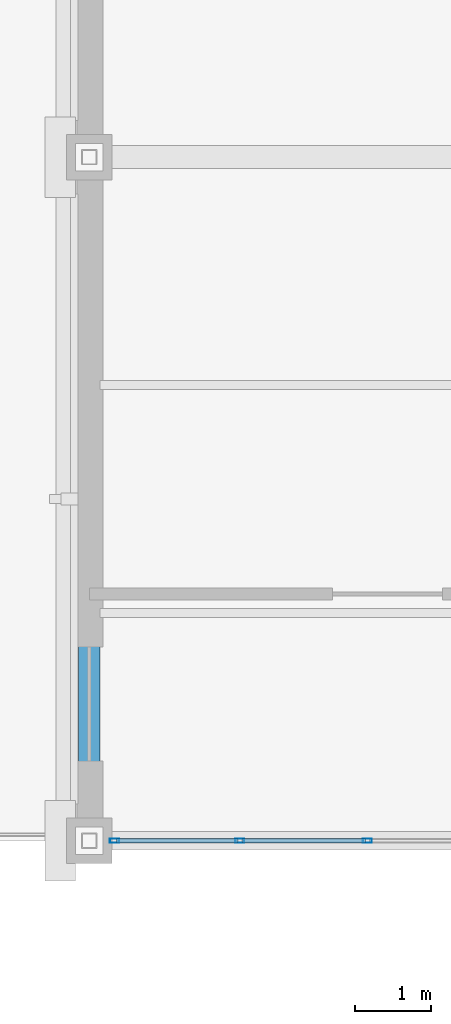
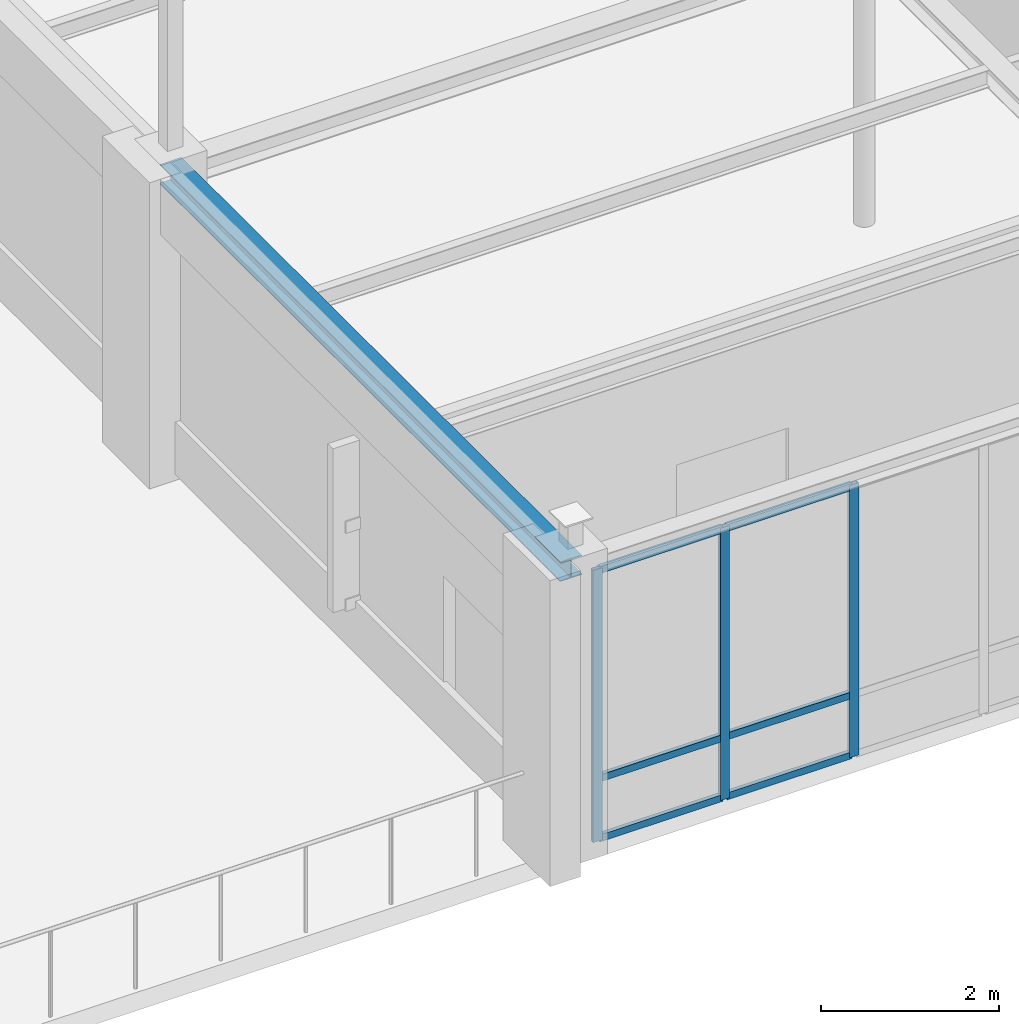
# One storey, part 59 of 97: 9 members, 1 beam, 1 element without a shape of its own.
"""IFC4 building model written with IfcOpenShell, lengths in metres."""

from ifc_helpers import new_model, si_unit, direction, frame, origin, origin_2d, place, context, subcontext, project, spatial, hollow_rectangle, i_section, extrude, material, material_profile, profile_set, type_object, element, aggregate, save


model = new_model("IFC4")

# Units and contexts
model_context = context("Model", 3, precision=1e-05, world=origin(), true_north=direction((0.0, 1.0)))
body_context = subcontext(model_context, "Body", "Model", "MODEL_VIEW")
ifc_project = project(units=[si_unit("LENGTHUNIT", "METRE"), si_unit("AREAUNIT", "SQUARE_METRE"), si_unit("VOLUMEUNIT", "CUBIC_METRE"), si_unit("PLANEANGLEUNIT", "RADIAN"), si_unit("MASSUNIT", "GRAM", prefix="KILO")], contexts=[model_context])

# Site, building, storey
site_placement = place(None, origin())
site = spatial("IfcSite", under=ifc_project, at=site_placement, CompositionType="ELEMENT")
building_placement = place(site_placement, origin())
building = spatial("IfcBuilding", under=site, at=building_placement, Name="Lykobir Media Centre", CompositionType="ELEMENT")
storey_placement = place(building_placement, frame((0.0, 0.0, 23.39990234375)))
storey = spatial("IfcBuildingStorey", under=building, at=storey_placement, Name="L05", CompositionType="ELEMENT", Elevation=23.39990234375)

# Beam
ifc_material_1 = material(Name="Steel S355", Category="steel")
ifc_material_profile_1 = material_profile(ifc_material_1, i_section(OverallWidth=0.280029296875, OverallDepth=0.27001953125, WebThickness=0.008056640625, FlangeThickness=0.012939453125, at=origin_2d()), Name="HEA 280")
ifc_profile_set_1 = profile_set([ifc_material_profile_1], Name="Steel S355")
beam_type = type_object("IfcBeamType", Name="BM-HEA280", PredefinedType="BEAM", material=ifc_profile_set_1)
beam_placement = place(storey_placement, frame((108.0, 72.0, 3.84521484375), z_axis=(0.0, 1.0, 0.0), x_axis=(-1.0, 0.0, 0.0)))
element("IfcBeam", 1, at=beam_placement, inside=storey, type_object=beam_type, Name="Beam BM-L05-1080-0720-1080-0810-2724", PredefinedType="BEAM", context=body_context, shape_type="SweptSolid", body=[
    extrude(i_section(OverallWidth=0.280029296875, OverallDepth=0.27001953125, WebThickness=0.008056640625, FlangeThickness=0.012939453125, at=origin_2d()), origin(), (0.0, 0.0, 1.0), 9.0),
])

# Curtain wall, members
ifc_material_2 = material(Name="Anodized Aluminium AW-6060", Category="aluminium")
curtain_wall_type = type_object("IfcCurtainWallType", Name="CW-COURT-B", PredefinedType="NOTDEFINED", material=ifc_material_2)
curtain_wall_placement = place(storey_placement, origin())
curtain_wall = element("IfcCurtainWall", 2, at=curtain_wall_placement, inside=storey, type_object=curtain_wall_type, Name="Curtain wall CW2-L05-0204", PredefinedType="NOTDEFINED")
ifc_material_profile_2 = material_profile(ifc_material_2, hollow_rectangle(XDim=0.054931640625, YDim=0.1201171875, WallThickness=0.003173828125, at=origin_2d()), Name="ALU MULLION 55x120")
ifc_profile_set_2 = profile_set([ifc_material_profile_2], Name="Anodized Aluminium AW-6060")
member_type_1 = type_object("IfcMemberType", Name="CWM-120", PredefinedType="MULLION", material=ifc_profile_set_2)
member_1_placement = place(storey_placement, frame((111.660888671875, 72.0, 0.0), z_axis=(0.0, 0.0, 1.0), x_axis=(0.0, -1.0, 0.0)))
member_1 = element("IfcMember", 3, at=member_1_placement, type_object=member_type_1, Name="CW2-L05-0204 mullion 4", PredefinedType="MULLION", context=body_context, shape_type="SweptSolid", body=[
    extrude(hollow_rectangle(XDim=0.054931640625, YDim=0.1201171875, WallThickness=0.003173828125, at=origin_2d()), origin(), (0.0, 0.0, 1.0), 3.735107421875),
])
member_2_placement = place(storey_placement, frame((109.98291015625, 72.0, 0.0), z_axis=(0.0, 0.0, 1.0), x_axis=(0.0, -1.0, 0.0)))
member_2 = element("IfcMember", 4, at=member_2_placement, type_object=member_type_1, Name="CW2-L05-0204 mullion 5", PredefinedType="MULLION", context=body_context, shape_type="SweptSolid", body=[
    extrude(hollow_rectangle(XDim=0.054931640625, YDim=0.1201171875, WallThickness=0.003173828125, at=origin_2d()), origin(), (0.0, 0.0, 1.0), 3.735107421875),
])
member_3_placement = place(storey_placement, frame((108.33251953125, 72.0, 0.0), z_axis=(0.0, 0.0, 1.0), x_axis=(0.0, -1.0, 0.0)))
member_3 = element("IfcMember", 5, at=member_3_placement, type_object=member_type_1, Name="CW2-L05-0204 mullion 6", PredefinedType="MULLION", context=body_context, shape_type="SweptSolid", body=[
    extrude(hollow_rectangle(XDim=0.054931640625, YDim=0.1201171875, WallThickness=0.003173828125, at=origin_2d()), origin(), (0.0, 0.0, 1.0), 3.735107421875),
])
ifc_material_profile_3 = material_profile(ifc_material_2, hollow_rectangle(XDim=0.054931640625, YDim=0.094970703125, WallThickness=0.0029296875, at=origin_2d()), Name="ALU TRANSOM 55x95")
ifc_profile_set_3 = profile_set([ifc_material_profile_3], Name="Anodized Aluminium AW-6060")
member_type_2 = type_object("IfcMemberType", Name="CWT-095", PredefinedType="USERDEFINED", material=ifc_profile_set_3)
member_4_placement = place(storey_placement, frame((111.633544921875, 72.0, 0.027587890625), z_axis=(-1.0, 0.0, 0.0), x_axis=(0.0, -1.0, 0.0)))
member_4 = element("IfcMember", 6, at=member_4_placement, type_object=member_type_2, Name="CW2-L05-0204 transom 4.1", ObjectType="TRANSOM", PredefinedType="USERDEFINED", context=body_context, shape_type="SweptSolid", body=[
    extrude(hollow_rectangle(XDim=0.054931640625, YDim=0.094970703125, WallThickness=0.0029296875, at=origin_2d()), origin(), (0.0, 0.0, 1.0), 1.623046875),
])
member_5_placement = place(storey_placement, frame((111.633544921875, 72.0, 0.85009765625), z_axis=(-1.0, 0.0, 0.0), x_axis=(0.0, -1.0, 0.0)))
member_5 = element("IfcMember", 7, at=member_5_placement, type_object=member_type_2, Name="CW2-L05-0204 transom 4.2", ObjectType="TRANSOM", PredefinedType="USERDEFINED", context=body_context, shape_type="SweptSolid", body=[
    extrude(hollow_rectangle(XDim=0.054931640625, YDim=0.094970703125, WallThickness=0.0029296875, at=origin_2d()), origin(), (0.0, 0.0, 1.0), 1.623046875),
])
member_6_placement = place(storey_placement, frame((111.633544921875, 72.0, 3.70751953125), z_axis=(-1.0, 0.0, 0.0), x_axis=(0.0, -1.0, 0.0)))
member_6 = element("IfcMember", 8, at=member_6_placement, type_object=member_type_2, Name="CW2-L05-0204 transom 4.3", ObjectType="TRANSOM", PredefinedType="USERDEFINED", context=body_context, shape_type="SweptSolid", body=[
    extrude(hollow_rectangle(XDim=0.054931640625, YDim=0.094970703125, WallThickness=0.0029296875, at=origin_2d()), origin(), (0.0, 0.0, 1.0), 1.623046875),
])
member_7_placement = place(storey_placement, frame((109.95556640625, 72.0, 0.027587890625), z_axis=(-1.0, 0.0, 0.0), x_axis=(0.0, -1.0, 0.0)))
member_7 = element("IfcMember", 9, at=member_7_placement, type_object=member_type_2, Name="CW2-L05-0204 transom 5.1", ObjectType="TRANSOM", PredefinedType="USERDEFINED", context=body_context, shape_type="SweptSolid", body=[
    extrude(hollow_rectangle(XDim=0.054931640625, YDim=0.094970703125, WallThickness=0.0029296875, at=origin_2d()), origin(), (0.0, 0.0, 1.0), 1.595458984375),
])
member_8_placement = place(storey_placement, frame((109.95556640625, 72.0, 0.85009765625), z_axis=(-1.0, 0.0, 0.0), x_axis=(0.0, -1.0, 0.0)))
member_8 = element("IfcMember", 10, at=member_8_placement, type_object=member_type_2, Name="CW2-L05-0204 transom 5.2", ObjectType="TRANSOM", PredefinedType="USERDEFINED", context=body_context, shape_type="SweptSolid", body=[
    extrude(hollow_rectangle(XDim=0.054931640625, YDim=0.094970703125, WallThickness=0.0029296875, at=origin_2d()), origin(), (0.0, 0.0, 1.0), 1.595458984375),
])
member_9_placement = place(storey_placement, frame((109.95556640625, 72.0, 3.70751953125), z_axis=(-1.0, 0.0, 0.0), x_axis=(0.0, -1.0, 0.0)))
member_9 = element("IfcMember", 11, at=member_9_placement, type_object=member_type_2, Name="CW2-L05-0204 transom 5.3", ObjectType="TRANSOM", PredefinedType="USERDEFINED", context=body_context, shape_type="SweptSolid", body=[
    extrude(hollow_rectangle(XDim=0.054931640625, YDim=0.094970703125, WallThickness=0.0029296875, at=origin_2d()), origin(), (0.0, 0.0, 1.0), 1.595458984375),
])
aggregate(curtain_wall, [member_1, member_2, member_3, member_4, member_5, member_6, member_7, member_8, member_9])

save(model, "model.ifc")
